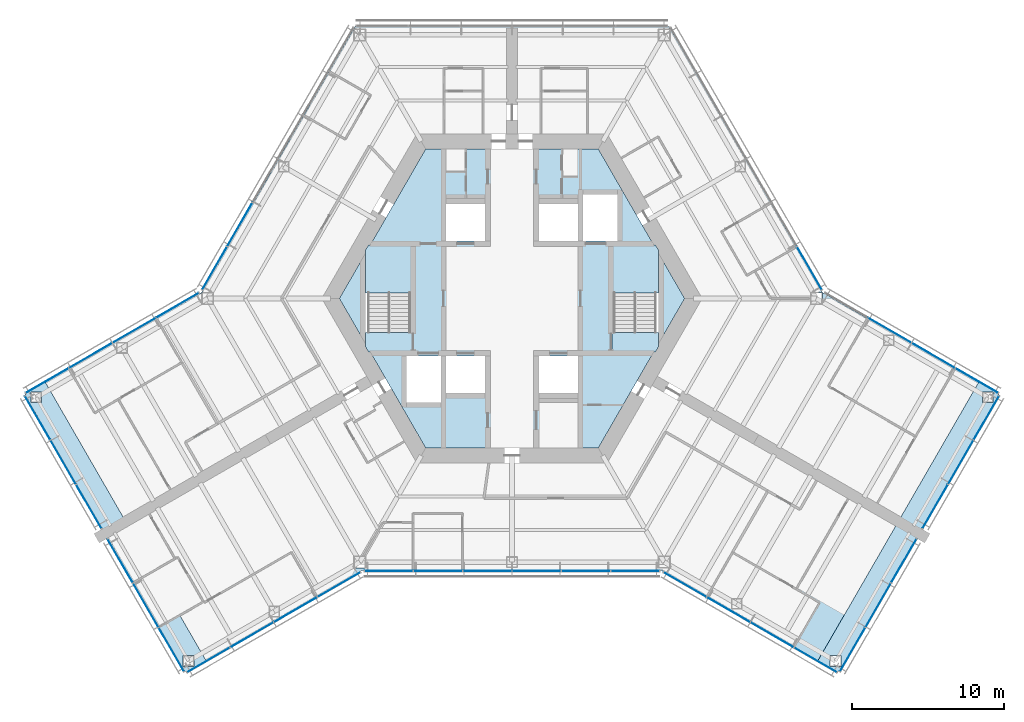
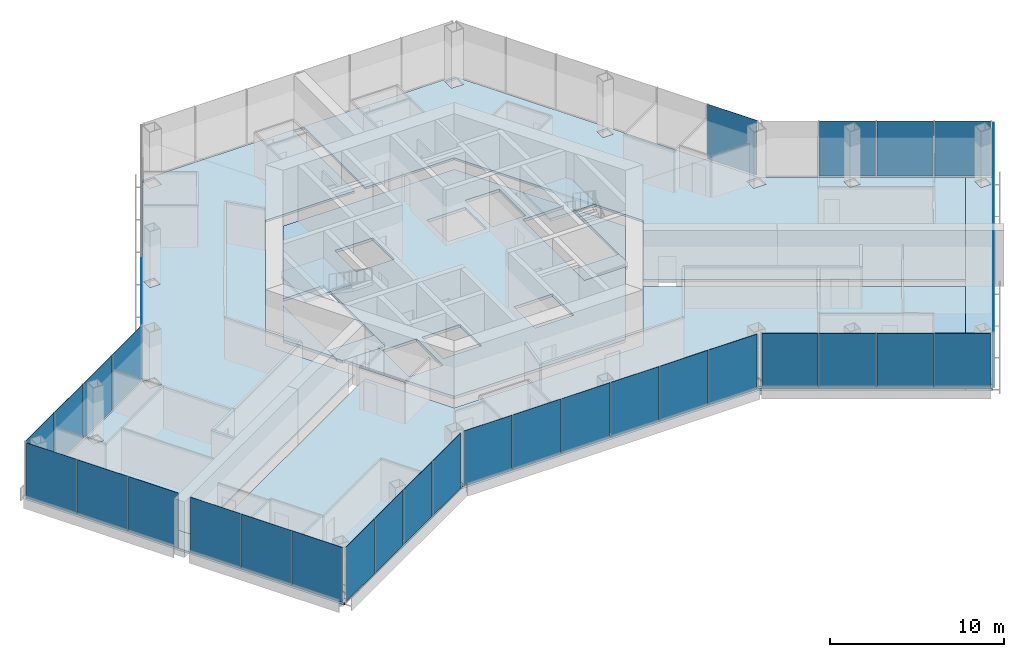
# One storey, part 10 of 18: 36 plates, 11 slabs, 13 elements without a shape of their own.
"""IFC4 building model written with IfcOpenShell, lengths in metres."""

from ifc_helpers import new_model, si_unit, direction, frame, origin, origin_2d, place, context, subcontext, project, spatial, polyline, rectangle, outline, extrude, material, layer, layer_set, type_object, element, aggregate, save


model = new_model("IFC4")

# Units and contexts
model_context = context("Model", 3, precision=1e-05, world=origin(), true_north=direction((0.0, 1.0)))
body_context = subcontext(model_context, "Body", "Model", "MODEL_VIEW")
ifc_project = project(units=[si_unit("LENGTHUNIT", "METRE"), si_unit("AREAUNIT", "SQUARE_METRE"), si_unit("VOLUMEUNIT", "CUBIC_METRE"), si_unit("PLANEANGLEUNIT", "RADIAN"), si_unit("MASSUNIT", "GRAM", prefix="KILO")], contexts=[model_context])

# Site, building, storey
site_placement = place(None, origin())
site = spatial("IfcSite", under=ifc_project, at=site_placement, CompositionType="ELEMENT")
building_placement = place(site_placement, origin())
building = spatial("IfcBuilding", under=site, at=building_placement, Name="Kasaneha Research Tower", CompositionType="ELEMENT")
storey_placement = place(building_placement, frame((0.0, 0.0, 191.60009765625)))
storey = spatial("IfcBuildingStorey", under=building, at=storey_placement, Name="L48", CompositionType="ELEMENT", Elevation=191.60009765625)

# Curtain wall, plates
ifc_material_1 = material(Name="Glass and aluminium", Category="aluminium")
curtain_wall_type = type_object("IfcCurtainWallType", Name="Mid-rise office curtain wall", PredefinedType="USERDEFINED", material=ifc_material_1)
curtain_wall_1_placement = place(storey_placement, origin())
curtain_wall_1 = element("IfcCurtainWall", 1, at=curtain_wall_1_placement, inside=storey, type_object=curtain_wall_type, Name="CW-O2 L48 run 01a", ObjectType="UNITISED CURTAIN WALL", PredefinedType="USERDEFINED")
ifc_material_2 = material(Name="Laminated double glazing", Category="glass")
ifc_layer_1 = layer(ifc_material_2, 0.02587890625)
ifc_layer_set_1 = layer_set([ifc_layer_1], Name="CW-O2 glazed panel")
plate_type = type_object("IfcPlateType", Name="CW-O2 glazed panel", PredefinedType="CURTAIN_PANEL", material=ifc_layer_set_1)
plate_1_placement = place(storey_placement, frame((-8.10107421875, -17.92041015625, 0.06005859375), z_axis=(0.0, 0.0, 1.0), x_axis=(1.0, 0.0, 0.0)))
plate_1 = element("IfcPlate", 2, at=plate_1_placement, type_object=plate_type, Name="CW-O2 panel 1", PredefinedType="CURTAIN_PANEL", context=body_context, shape_type="SweptSolid", body=[
    extrude(rectangle(XDim=3.156494140625, YDim=0.02587890625, at=origin_2d()), origin(), (0.0, 0.0, 1.0), 3.840087890625),
])
plate_2_placement = place(storey_placement, frame((-4.86962890625, -17.92041015625, 0.06005859375), z_axis=(0.0, 0.0, 1.0), x_axis=(1.0, 0.0, 0.0)))
plate_2 = element("IfcPlate", 3, at=plate_2_placement, type_object=plate_type, Name="CW-O2 panel 2", PredefinedType="CURTAIN_PANEL", context=body_context, shape_type="SweptSolid", body=[
    extrude(rectangle(XDim=3.1865234375, YDim=0.02587890625, at=origin_2d()), origin(), (0.0, 0.0, 1.0), 3.840087890625),
])
plate_3_placement = place(storey_placement, frame((-1.623291015625, -17.92041015625, 0.06005859375), z_axis=(0.0, 0.0, 1.0), x_axis=(1.0, 0.0, 0.0)))
plate_3 = element("IfcPlate", 4, at=plate_3_placement, type_object=plate_type, Name="CW-O2 panel 3", PredefinedType="CURTAIN_PANEL", context=body_context, shape_type="SweptSolid", body=[
    extrude(rectangle(XDim=3.1865234375, YDim=0.02587890625, at=origin_2d()), origin(), (0.0, 0.0, 1.0), 3.840087890625),
])
plate_4_placement = place(storey_placement, frame((1.623291015625, -17.92041015625, 0.06005859375), z_axis=(0.0, 0.0, 1.0), x_axis=(1.0, 0.0, 0.0)))
plate_4 = element("IfcPlate", 5, at=plate_4_placement, type_object=plate_type, Name="CW-O2 panel 4", PredefinedType="CURTAIN_PANEL", context=body_context, shape_type="SweptSolid", body=[
    extrude(rectangle(XDim=3.1865234375, YDim=0.02587890625, at=origin_2d()), origin(), (0.0, 0.0, 1.0), 3.840087890625),
])
plate_5_placement = place(storey_placement, frame((4.86962890625, -17.92041015625, 0.06005859375), z_axis=(0.0, 0.0, 1.0), x_axis=(1.0, 0.0, 0.0)))
plate_5 = element("IfcPlate", 6, at=plate_5_placement, type_object=plate_type, Name="CW-O2 panel 5", PredefinedType="CURTAIN_PANEL", context=body_context, shape_type="SweptSolid", body=[
    extrude(rectangle(XDim=3.1865234375, YDim=0.02587890625, at=origin_2d()), origin(), (0.0, 0.0, 1.0), 3.840087890625),
])
plate_6_placement = place(storey_placement, frame((8.10107421875, -17.92041015625, 0.06005859375), z_axis=(0.0, 0.0, 1.0), x_axis=(1.0, 0.0, 0.0)))
plate_6 = element("IfcPlate", 7, at=plate_6_placement, type_object=plate_type, Name="CW-O2 panel 6", PredefinedType="CURTAIN_PANEL", context=body_context, shape_type="SweptSolid", body=[
    extrude(rectangle(XDim=3.156494140625, YDim=0.02587890625, at=origin_2d()), origin(), (0.0, 0.0, 1.0), 3.840087890625),
])
aggregate(curtain_wall_1, [plate_1, plate_2, plate_3, plate_4, plate_5, plate_6])

curtain_wall_2_placement = place(storey_placement, origin())
curtain_wall_2 = element("IfcCurtainWall", 8, at=curtain_wall_2_placement, inside=storey, type_object=curtain_wall_type, Name="CW-O2 L48 run 02a", ObjectType="UNITISED CURTAIN WALL", PredefinedType="USERDEFINED")
plate_7_placement = place(storey_placement, frame((11.3720703125, -18.805419921875, 0.06005859375), z_axis=(0.0, 0.0, 1.0), x_axis=(0.866025411464, -0.499999986699, 0.0)))
plate_7 = element("IfcPlate", 9, at=plate_7_placement, type_object=plate_type, Name="CW-O2 panel 1", PredefinedType="CURTAIN_PANEL", context=body_context, shape_type="SweptSolid", body=[
    extrude(rectangle(XDim=3.2197265625, YDim=0.02587890625, at=origin_2d()), origin(), (0.0, 0.0, 1.0), 3.840087890625),
])
plate_8_placement = place(storey_placement, frame((14.225341796875, -20.452880859375, 0.06005859375), z_axis=(0.0, 0.0, 1.0), x_axis=(0.866025411464, -0.499999986699, 0.0)))
plate_8 = element("IfcPlate", 10, at=plate_8_placement, type_object=plate_type, Name="CW-O2 panel 2", PredefinedType="CURTAIN_PANEL", context=body_context, shape_type="SweptSolid", body=[
    extrude(rectangle(XDim=3.249755859375, YDim=0.02587890625, at=origin_2d()), origin(), (0.0, 0.0, 1.0), 3.840087890625),
])
plate_9_placement = place(storey_placement, frame((17.091796875, -22.107666015625, 0.06005859375), z_axis=(0.0, 0.0, 1.0), x_axis=(0.866025411464, -0.499999986699, 0.0)))
plate_9 = element("IfcPlate", 11, at=plate_9_placement, type_object=plate_type, Name="CW-O2 panel 3", PredefinedType="CURTAIN_PANEL", context=body_context, shape_type="SweptSolid", body=[
    extrude(rectangle(XDim=3.249755859375, YDim=0.02587890625, at=origin_2d()), origin(), (0.0, 0.0, 1.0), 3.840087890625),
])
plate_10_placement = place(storey_placement, frame((19.945068359375, -23.755126953125, 0.06005859375), z_axis=(0.0, 0.0, 1.0), x_axis=(0.866025411464, -0.499999986699, 0.0)))
plate_10 = element("IfcPlate", 12, at=plate_10_placement, type_object=plate_type, Name="CW-O2 panel 4", PredefinedType="CURTAIN_PANEL", context=body_context, shape_type="SweptSolid", body=[
    extrude(rectangle(XDim=3.2197265625, YDim=0.02587890625, at=origin_2d()), origin(), (0.0, 0.0, 1.0), 3.840087890625),
])
aggregate(curtain_wall_2, [plate_7, plate_8, plate_9, plate_10])

curtain_wall_3_placement = place(storey_placement, origin())
curtain_wall_3 = element("IfcCurtainWall", 13, at=curtain_wall_3_placement, inside=storey, type_object=curtain_wall_type, Name="CW-O2 L48 run 03a", ObjectType="UNITISED CURTAIN WALL", PredefinedType="USERDEFINED")
plate_11_placement = place(storey_placement, frame((22.38134765625, -23.075439453125, 0.06005859375), z_axis=(0.0, 0.0, 1.0), x_axis=(0.500000011442, 0.866025397178, 0.0)))
plate_11 = element("IfcPlate", 14, at=plate_11_placement, type_object=plate_type, Name="CW-O2 panel 1", PredefinedType="CURTAIN_PANEL", context=body_context, shape_type="SweptSolid", body=[
    extrude(rectangle(XDim=3.293212890625, YDim=0.02587890625, at=origin_2d()), origin(), (0.0, 0.0, 1.0), 3.840087890625),
])
plate_12_placement = place(storey_placement, frame((24.0654296875, -20.158447265625, 0.06005859375), z_axis=(0.0, 0.0, 1.0), x_axis=(0.500000011442, 0.866025397178, 0.0)))
plate_12 = element("IfcPlate", 15, at=plate_12_placement, type_object=plate_type, Name="CW-O2 panel 2", PredefinedType="CURTAIN_PANEL", context=body_context, shape_type="SweptSolid", body=[
    extrude(rectangle(XDim=3.3232421875, YDim=0.02587890625, at=origin_2d()), origin(), (0.0, 0.0, 1.0), 3.840087890625),
])
plate_13_placement = place(storey_placement, frame((25.74951171875, -17.241455078125, 0.06005859375), z_axis=(0.0, 0.0, 1.0), x_axis=(0.500000011442, 0.866025397178, 0.0)))
plate_13 = element("IfcPlate", 16, at=plate_13_placement, type_object=plate_type, Name="CW-O2 panel 3", PredefinedType="CURTAIN_PANEL", context=body_context, shape_type="SweptSolid", body=[
    extrude(rectangle(XDim=3.293212890625, YDim=0.02587890625, at=origin_2d()), origin(), (0.0, 0.0, 1.0), 3.840087890625),
])
aggregate(curtain_wall_3, [plate_11, plate_12, plate_13])

curtain_wall_4_placement = place(storey_placement, origin())
curtain_wall_4 = element("IfcCurtainWall", 17, at=curtain_wall_4_placement, inside=storey, type_object=curtain_wall_type, Name="CW-O2 L48 run 04a", ObjectType="UNITISED CURTAIN WALL", PredefinedType="USERDEFINED")
plate_14_placement = place(storey_placement, frame((27.806396484375, -13.67919921875, 0.06005859375), z_axis=(0.0, 0.0, 1.0), x_axis=(0.500000011442, 0.866025397178, 0.0)))
plate_14 = element("IfcPlate", 18, at=plate_14_placement, type_object=plate_type, Name="CW-O2 panel 1", PredefinedType="CURTAIN_PANEL", context=body_context, shape_type="SweptSolid", body=[
    extrude(rectangle(XDim=3.293212890625, YDim=0.02587890625, at=origin_2d()), origin(), (0.0, 0.0, 1.0), 3.840087890625),
])
plate_15_placement = place(storey_placement, frame((29.490478515625, -10.761962890625, 0.06005859375), z_axis=(0.0, 0.0, 1.0), x_axis=(0.500000011442, 0.866025397178, 0.0)))
plate_15 = element("IfcPlate", 19, at=plate_15_placement, type_object=plate_type, Name="CW-O2 panel 2", PredefinedType="CURTAIN_PANEL", context=body_context, shape_type="SweptSolid", body=[
    extrude(rectangle(XDim=3.3232421875, YDim=0.02587890625, at=origin_2d()), origin(), (0.0, 0.0, 1.0), 3.840087890625),
])
plate_16_placement = place(storey_placement, frame((31.174560546875, -7.844970703125, 0.06005859375), z_axis=(0.0, 0.0, 1.0), x_axis=(0.500000011442, 0.866025397178, 0.0)))
plate_16 = element("IfcPlate", 20, at=plate_16_placement, type_object=plate_type, Name="CW-O2 panel 3", PredefinedType="CURTAIN_PANEL", context=body_context, shape_type="SweptSolid", body=[
    extrude(rectangle(XDim=3.293212890625, YDim=0.02587890625, at=origin_2d()), origin(), (0.0, 0.0, 1.0), 3.840087890625),
])
aggregate(curtain_wall_4, [plate_14, plate_15, plate_16])

curtain_wall_5_placement = place(storey_placement, origin())
curtain_wall_5 = element("IfcCurtainWall", 21, at=curtain_wall_5_placement, inside=storey, type_object=curtain_wall_type, Name="CW-O2 L48 run 05a", ObjectType="UNITISED CURTAIN WALL", PredefinedType="USERDEFINED")
plate_17_placement = place(storey_placement, frame((30.545166015625, -5.3955078125, 0.06005859375), z_axis=(0.0, 0.0, 1.0), x_axis=(-0.866025411464, 0.499999986699, 0.0)))
plate_17 = element("IfcPlate", 22, at=plate_17_placement, type_object=plate_type, Name="CW-O2 panel 1", PredefinedType="CURTAIN_PANEL", context=body_context, shape_type="SweptSolid", body=[
    extrude(rectangle(XDim=3.2197265625, YDim=0.02587890625, at=origin_2d()), origin(), (0.0, 0.0, 1.0), 3.840087890625),
])
plate_18_placement = place(storey_placement, frame((27.69189453125, -3.748046875, 0.06005859375), z_axis=(0.0, 0.0, 1.0), x_axis=(-0.866025411464, 0.499999986699, 0.0)))
plate_18 = element("IfcPlate", 23, at=plate_18_placement, type_object=plate_type, Name="CW-O2 panel 2", PredefinedType="CURTAIN_PANEL", context=body_context, shape_type="SweptSolid", body=[
    extrude(rectangle(XDim=3.249755859375, YDim=0.02587890625, at=origin_2d()), origin(), (0.0, 0.0, 1.0), 3.840087890625),
])
plate_19_placement = place(storey_placement, frame((24.825439453125, -2.093017578125, 0.06005859375), z_axis=(0.0, 0.0, 1.0), x_axis=(-0.866025411464, 0.499999986699, 0.0)))
plate_19 = element("IfcPlate", 24, at=plate_19_placement, type_object=plate_type, Name="CW-O2 panel 3", PredefinedType="CURTAIN_PANEL", context=body_context, shape_type="SweptSolid", body=[
    extrude(rectangle(XDim=3.249755859375, YDim=0.02587890625, at=origin_2d()), origin(), (0.0, 0.0, 1.0), 3.840087890625),
])
aggregate(curtain_wall_5, [plate_17, plate_18, plate_19])

# Curtain wall, plate
curtain_wall_6_placement = place(storey_placement, origin())
curtain_wall_6 = element("IfcCurtainWall", 25, at=curtain_wall_6_placement, inside=storey, type_object=curtain_wall_type, Name="CW-O2 L48 run 06a", ObjectType="UNITISED CURTAIN WALL", PredefinedType="USERDEFINED")
plate_20_placement = place(storey_placement, frame((19.549072265625, 1.981201171875, 0.06005859375), z_axis=(0.0, 0.0, 1.0), x_axis=(-0.499999979232, 0.866025415775, 0.0)))
plate_20 = element("IfcPlate", 26, at=plate_20_placement, type_object=plate_type, Name="CW-O2 panel 1", PredefinedType="CURTAIN_PANEL", context=body_context, shape_type="SweptSolid", body=[
    extrude(rectangle(XDim=3.240966796875, YDim=0.02587890625, at=origin_2d()), origin(), (0.0, 0.0, 1.0), 3.840087890625),
])
aggregate(curtain_wall_6, [plate_20])

# Curtain wall, plates
curtain_wall_7_placement = place(storey_placement, origin())
curtain_wall_7 = element("IfcCurtainWall", 27, at=curtain_wall_7_placement, inside=storey, type_object=curtain_wall_type, Name="CW-O2 L48 run 08a", ObjectType="UNITISED CURTAIN WALL", PredefinedType="USERDEFINED")
plate_21_placement = place(storey_placement, frame((-17.89111328125, 4.852783203125, 0.06005859375), z_axis=(0.0, 0.0, 1.0), x_axis=(-0.499999979232, -0.866025415775, 0.0)))
plate_21 = element("IfcPlate", 28, at=plate_21_placement, type_object=plate_type, Name="CW-O2 panel 5", PredefinedType="CURTAIN_PANEL", context=body_context, shape_type="SweptSolid", body=[
    extrude(rectangle(XDim=3.27099609375, YDim=0.02587890625, at=origin_2d()), origin(), (0.0, 0.0, 1.0), 3.840087890625),
])
plate_22_placement = place(storey_placement, frame((-19.549072265625, 1.981201171875, 0.06005859375), z_axis=(0.0, 0.0, 1.0), x_axis=(-0.499999979232, -0.866025415775, 0.0)))
plate_22 = element("IfcPlate", 29, at=plate_22_placement, type_object=plate_type, Name="CW-O2 panel 6", PredefinedType="CURTAIN_PANEL", context=body_context, shape_type="SweptSolid", body=[
    extrude(rectangle(XDim=3.240966796875, YDim=0.02587890625, at=origin_2d()), origin(), (0.0, 0.0, 1.0), 3.840087890625),
])
aggregate(curtain_wall_7, [plate_21, plate_22])

curtain_wall_8_placement = place(storey_placement, origin())
curtain_wall_8 = element("IfcCurtainWall", 30, at=curtain_wall_8_placement, inside=storey, type_object=curtain_wall_type, Name="CW-O2 L48 run 09a", ObjectType="UNITISED CURTAIN WALL", PredefinedType="USERDEFINED")
plate_23_placement = place(storey_placement, frame((-21.971923828125, -0.44580078125, 0.06005859375), z_axis=(0.0, 0.0, 1.0), x_axis=(-0.866025411464, -0.499999986699, 0.0)))
plate_23 = element("IfcPlate", 31, at=plate_23_placement, type_object=plate_type, Name="CW-O2 panel 1", PredefinedType="CURTAIN_PANEL", context=body_context, shape_type="SweptSolid", body=[
    extrude(rectangle(XDim=3.2197265625, YDim=0.02587890625, at=origin_2d()), origin(), (0.0, 0.0, 1.0), 3.840087890625),
])
plate_24_placement = place(storey_placement, frame((-24.825439453125, -2.093017578125, 0.06005859375), z_axis=(0.0, 0.0, 1.0), x_axis=(-0.866025411464, -0.499999986699, 0.0)))
plate_24 = element("IfcPlate", 32, at=plate_24_placement, type_object=plate_type, Name="CW-O2 panel 2", PredefinedType="CURTAIN_PANEL", context=body_context, shape_type="SweptSolid", body=[
    extrude(rectangle(XDim=3.249755859375, YDim=0.02587890625, at=origin_2d()), origin(), (0.0, 0.0, 1.0), 3.840087890625),
])
plate_25_placement = place(storey_placement, frame((-27.69189453125, -3.748046875, 0.06005859375), z_axis=(0.0, 0.0, 1.0), x_axis=(-0.866025411464, -0.499999986699, 0.0)))
plate_25 = element("IfcPlate", 33, at=plate_25_placement, type_object=plate_type, Name="CW-O2 panel 3", PredefinedType="CURTAIN_PANEL", context=body_context, shape_type="SweptSolid", body=[
    extrude(rectangle(XDim=3.249755859375, YDim=0.02587890625, at=origin_2d()), origin(), (0.0, 0.0, 1.0), 3.840087890625),
])
plate_26_placement = place(storey_placement, frame((-30.545166015625, -5.3955078125, 0.06005859375), z_axis=(0.0, 0.0, 1.0), x_axis=(-0.866025411464, -0.499999986699, 0.0)))
plate_26 = element("IfcPlate", 34, at=plate_26_placement, type_object=plate_type, Name="CW-O2 panel 4", PredefinedType="CURTAIN_PANEL", context=body_context, shape_type="SweptSolid", body=[
    extrude(rectangle(XDim=3.2197265625, YDim=0.02587890625, at=origin_2d()), origin(), (0.0, 0.0, 1.0), 3.840087890625),
])
aggregate(curtain_wall_8, [plate_23, plate_24, plate_25, plate_26])

curtain_wall_9_placement = place(storey_placement, origin())
curtain_wall_9 = element("IfcCurtainWall", 35, at=curtain_wall_9_placement, inside=storey, type_object=curtain_wall_type, Name="CW-O2 L48 run 10a", ObjectType="UNITISED CURTAIN WALL", PredefinedType="USERDEFINED")
plate_27_placement = place(storey_placement, frame((-31.174560546875, -7.844970703125, 0.06005859375), z_axis=(0.0, 0.0, 1.0), x_axis=(0.500000011442, -0.866025397178, 0.0)))
plate_27 = element("IfcPlate", 36, at=plate_27_placement, type_object=plate_type, Name="CW-O2 panel 1", PredefinedType="CURTAIN_PANEL", context=body_context, shape_type="SweptSolid", body=[
    extrude(rectangle(XDim=3.293212890625, YDim=0.02587890625, at=origin_2d()), origin(), (0.0, 0.0, 1.0), 3.840087890625),
])
plate_28_placement = place(storey_placement, frame((-29.490478515625, -10.761962890625, 0.06005859375), z_axis=(0.0, 0.0, 1.0), x_axis=(0.500000011442, -0.866025397178, 0.0)))
plate_28 = element("IfcPlate", 37, at=plate_28_placement, type_object=plate_type, Name="CW-O2 panel 2", PredefinedType="CURTAIN_PANEL", context=body_context, shape_type="SweptSolid", body=[
    extrude(rectangle(XDim=3.3232421875, YDim=0.02587890625, at=origin_2d()), origin(), (0.0, 0.0, 1.0), 3.840087890625),
])
plate_29_placement = place(storey_placement, frame((-27.806396484375, -13.67919921875, 0.06005859375), z_axis=(0.0, 0.0, 1.0), x_axis=(0.500000011442, -0.866025397178, 0.0)))
plate_29 = element("IfcPlate", 38, at=plate_29_placement, type_object=plate_type, Name="CW-O2 panel 3", PredefinedType="CURTAIN_PANEL", context=body_context, shape_type="SweptSolid", body=[
    extrude(rectangle(XDim=3.293212890625, YDim=0.02587890625, at=origin_2d()), origin(), (0.0, 0.0, 1.0), 3.840087890625),
])
aggregate(curtain_wall_9, [plate_27, plate_28, plate_29])

curtain_wall_10_placement = place(storey_placement, origin())
curtain_wall_10 = element("IfcCurtainWall", 39, at=curtain_wall_10_placement, inside=storey, type_object=curtain_wall_type, Name="CW-O2 L48 run 11a", ObjectType="UNITISED CURTAIN WALL", PredefinedType="USERDEFINED")
plate_30_placement = place(storey_placement, frame((-25.74951171875, -17.241455078125, 0.06005859375), z_axis=(0.0, 0.0, 1.0), x_axis=(0.500000011442, -0.866025397178, 0.0)))
plate_30 = element("IfcPlate", 40, at=plate_30_placement, type_object=plate_type, Name="CW-O2 panel 1", PredefinedType="CURTAIN_PANEL", context=body_context, shape_type="SweptSolid", body=[
    extrude(rectangle(XDim=3.293212890625, YDim=0.02587890625, at=origin_2d()), origin(), (0.0, 0.0, 1.0), 3.840087890625),
])
plate_31_placement = place(storey_placement, frame((-24.0654296875, -20.158447265625, 0.06005859375), z_axis=(0.0, 0.0, 1.0), x_axis=(0.500000011442, -0.866025397178, 0.0)))
plate_31 = element("IfcPlate", 41, at=plate_31_placement, type_object=plate_type, Name="CW-O2 panel 2", PredefinedType="CURTAIN_PANEL", context=body_context, shape_type="SweptSolid", body=[
    extrude(rectangle(XDim=3.3232421875, YDim=0.02587890625, at=origin_2d()), origin(), (0.0, 0.0, 1.0), 3.840087890625),
])
plate_32_placement = place(storey_placement, frame((-22.38134765625, -23.075439453125, 0.06005859375), z_axis=(0.0, 0.0, 1.0), x_axis=(0.500000011442, -0.866025397178, 0.0)))
plate_32 = element("IfcPlate", 42, at=plate_32_placement, type_object=plate_type, Name="CW-O2 panel 3", PredefinedType="CURTAIN_PANEL", context=body_context, shape_type="SweptSolid", body=[
    extrude(rectangle(XDim=3.293212890625, YDim=0.02587890625, at=origin_2d()), origin(), (0.0, 0.0, 1.0), 3.840087890625),
])
aggregate(curtain_wall_10, [plate_30, plate_31, plate_32])

curtain_wall_11_placement = place(storey_placement, origin())
curtain_wall_11 = element("IfcCurtainWall", 43, at=curtain_wall_11_placement, inside=storey, type_object=curtain_wall_type, Name="CW-O2 L48 run 12a", ObjectType="UNITISED CURTAIN WALL", PredefinedType="USERDEFINED")
plate_33_placement = place(storey_placement, frame((-19.945068359375, -23.755126953125, 0.06005859375), z_axis=(0.0, 0.0, 1.0), x_axis=(0.866025411464, 0.499999986699, 0.0)))
plate_33 = element("IfcPlate", 44, at=plate_33_placement, type_object=plate_type, Name="CW-O2 panel 1", PredefinedType="CURTAIN_PANEL", context=body_context, shape_type="SweptSolid", body=[
    extrude(rectangle(XDim=3.2197265625, YDim=0.02587890625, at=origin_2d()), origin(), (0.0, 0.0, 1.0), 3.840087890625),
])
plate_34_placement = place(storey_placement, frame((-17.091796875, -22.107666015625, 0.06005859375), z_axis=(0.0, 0.0, 1.0), x_axis=(0.866025411464, 0.499999986699, 0.0)))
plate_34 = element("IfcPlate", 45, at=plate_34_placement, type_object=plate_type, Name="CW-O2 panel 2", PredefinedType="CURTAIN_PANEL", context=body_context, shape_type="SweptSolid", body=[
    extrude(rectangle(XDim=3.249755859375, YDim=0.02587890625, at=origin_2d()), origin(), (0.0, 0.0, 1.0), 3.840087890625),
])
plate_35_placement = place(storey_placement, frame((-14.225341796875, -20.452880859375, 0.06005859375), z_axis=(0.0, 0.0, 1.0), x_axis=(0.866025411464, 0.499999986699, 0.0)))
plate_35 = element("IfcPlate", 46, at=plate_35_placement, type_object=plate_type, Name="CW-O2 panel 3", PredefinedType="CURTAIN_PANEL", context=body_context, shape_type="SweptSolid", body=[
    extrude(rectangle(XDim=3.249755859375, YDim=0.02587890625, at=origin_2d()), origin(), (0.0, 0.0, 1.0), 3.840087890625),
])
plate_36_placement = place(storey_placement, frame((-11.3720703125, -18.805419921875, 0.06005859375), z_axis=(0.0, 0.0, 1.0), x_axis=(0.866025411464, 0.499999986699, 0.0)))
plate_36 = element("IfcPlate", 47, at=plate_36_placement, type_object=plate_type, Name="CW-O2 panel 4", PredefinedType="CURTAIN_PANEL", context=body_context, shape_type="SweptSolid", body=[
    extrude(rectangle(XDim=3.2197265625, YDim=0.02587890625, at=origin_2d()), origin(), (0.0, 0.0, 1.0), 3.840087890625),
])
aggregate(curtain_wall_11, [plate_33, plate_34, plate_35, plate_36])

# Slabs
ifc_material_3 = material(Name="Concrete Fc24", Category="concrete")
ifc_layer_2 = layer(ifc_material_3, 0.199951171875)
ifc_layer_set_2 = layer_set([ifc_layer_2], Name="Core floor slab 200")
slab_type_1 = type_object("IfcSlabType", Name="Core floor slab 200", PredefinedType="FLOOR", material=ifc_layer_set_2)
slab_1_placement = place(storey_placement, frame((0.0, 0.0, -0.2001953125)))
element("IfcSlab", 48, at=slab_1_placement, inside=storey, type_object=slab_type_1, Name="Core slab L48", PredefinedType="FLOOR", context=body_context, shape_type="SweptSolid", body=[
    extrude(outline(polyline([(-11.344970703125, 0.0), (-9.625, 2.97900390625), (-9.625, -2.97900390625), (-11.344970703125, 0.0)])), origin(), (0.0, 0.0, 1.0), 0.2001953125),
])
slab_2_placement = place(storey_placement, frame((0.0, 0.0, -0.2001953125)))
element("IfcSlab", 49, at=slab_2_placement, inside=storey, type_object=slab_type_1, Name="Core slab L48", PredefinedType="FLOOR", context=body_context, shape_type="SweptSolid", body=[
    extrude(outline(polyline([(-5.67236328125, 9.824951171875), (5.67236328125, 9.824951171875), (9.309814453125, 3.52490234375), (6.574951171875, 3.52490234375), (6.574951171875, -3.52490234375), (9.309814453125, -3.52490234375), (5.67236328125, -9.824951171875), (-5.67236328125, -9.824951171875), (-9.309814453125, -3.52490234375), (-6.574951171875, -3.52490234375), (-6.574951171875, 3.52490234375), (-9.309814453125, 3.52490234375), (-5.67236328125, 9.824951171875)]), holes=[polyline([(-6.925048828125, -3.77490234375), (-6.925048828125, -6.824951171875), (-4.675048828125, -6.824951171875), (-4.675048828125, -3.77490234375), (-6.925048828125, -3.77490234375)]), polyline([(-4.324951171875, -3.77490234375), (-4.324951171875, -6.22509765625), (-1.77490234375, -6.22509765625), (-1.77490234375, -3.77490234375), (-4.324951171875, -3.77490234375)]), polyline([(1.77490234375, -3.77490234375), (1.77490234375, -6.22509765625), (4.324951171875, -6.22509765625), (4.324951171875, -3.77490234375), (1.77490234375, -3.77490234375)]), polyline([(-4.324951171875, 6.22509765625), (-4.324951171875, 3.77490234375), (-1.77490234375, 3.77490234375), (-1.77490234375, 6.22509765625), (-4.324951171875, 6.22509765625)]), polyline([(1.77490234375, 6.22509765625), (1.77490234375, 3.77490234375), (4.324951171875, 3.77490234375), (4.324951171875, 6.22509765625), (1.77490234375, 6.22509765625)]), polyline([(4.675048828125, 6.824951171875), (4.675048828125, 3.77490234375), (6.925048828125, 3.77490234375), (6.925048828125, 6.824951171875), (4.675048828125, 6.824951171875)])]), origin(), (0.0, 0.0, 1.0), 0.2001953125),
])
slab_3_placement = place(storey_placement, frame((0.0, 0.0, -0.2001953125)))
element("IfcSlab", 50, at=slab_3_placement, inside=storey, type_object=slab_type_1, Name="Core slab L48", PredefinedType="FLOOR", context=body_context, shape_type="SweptSolid", body=[
    extrude(outline(polyline([(11.344970703125, 0.0), (9.625, -2.97900390625), (9.625, 2.97900390625), (11.344970703125, 0.0)])), origin(), (0.0, 0.0, 1.0), 0.2001953125),
])
ifc_material_4 = material(Name="Concrete Fc24", Category="concrete")
ifc_layer_3 = layer(ifc_material_4, 0.14990234375)
ifc_layer_set_3 = layer_set([ifc_layer_3], Name="Floor slab 150")
slab_type_2 = type_object("IfcSlabType", Name="Floor slab 150", PredefinedType="FLOOR", material=ifc_layer_set_3)
slab_4_placement = place(storey_placement, frame((0.0, 0.0, -0.150146484375)))
element("IfcSlab", 51, at=slab_4_placement, inside=storey, type_object=slab_type_2, Name="Floor slab L48 1", PredefinedType="FLOOR", context=body_context, shape_type="SweptSolid", body=[
    extrude(outline(polyline([(-32.009521484375, -6.298583984375), (-30.65869140625, -5.518798828125), (-25.55859375, -14.35205078125), (-25.5673828125, -14.357177734375), (-25.21728515625, -14.96337890625), (-25.208740234375, -14.958251953125), (-20.108642578125, -23.791748046875), (-21.459716796875, -24.57177734375), (-32.009521484375, -6.298583984375)]), holes=[polyline([(-20.908447265625, -24.17041015625), (-20.908447265625, -23.470458984375), (-21.6083984375, -23.470458984375), (-21.6083984375, -24.17041015625), (-20.908447265625, -24.17041015625)]), polyline([(-30.908447265625, -6.85009765625), (-30.908447265625, -6.14990234375), (-31.6083984375, -6.14990234375), (-31.6083984375, -6.85009765625), (-30.908447265625, -6.85009765625)])]), origin(), (0.0, 0.0, 1.0), 0.150146484375),
])
slab_5_placement = place(storey_placement, frame((0.0, 0.0, -0.150146484375)))
element("IfcSlab", 52, at=slab_5_placement, inside=storey, type_object=slab_type_2, Name="Floor slab L48 2", PredefinedType="FLOOR", context=body_context, shape_type="SweptSolid", body=[
    extrude(outline(polyline([(9.8525390625, -17.87060546875), (-9.8525390625, -17.87060546875), (-20.108642578125, -23.791748046875), (-25.208740234375, -14.958251953125), (-9.19970703125, -5.715576171875), (-6.249755859375, -10.824951171875), (6.249755859375, -10.824951171875), (9.19970703125, -5.715576171875), (25.208740234375, -14.958251953125), (20.108642578125, -23.791748046875), (9.8525390625, -17.87060546875)]), holes=[polyline([(-15.279052734375, -20.92041015625), (-15.279052734375, -20.220458984375), (-15.979248046875, -20.220458984375), (-15.979248046875, -20.92041015625), (-15.279052734375, -20.92041015625)]), polyline([(0.35009765625, -17.67041015625), (0.35009765625, -16.970458984375), (-0.35009765625, -16.970458984375), (-0.35009765625, -17.67041015625), (0.35009765625, -17.67041015625)]), polyline([(-10.39990234375, -17.720458984375), (-9.60009765625, -17.720458984375), (-9.60009765625, -16.92041015625), (-10.39990234375, -16.92041015625), (-10.39990234375, -17.720458984375)]), polyline([(15.113037109375, -20.42041015625), (15.113037109375, -19.720458984375), (14.4130859375, -19.720458984375), (14.4130859375, -20.42041015625), (15.113037109375, -20.42041015625)]), polyline([(9.60009765625, -17.720458984375), (10.39990234375, -17.720458984375), (10.39990234375, -16.92041015625), (9.60009765625, -16.92041015625), (9.60009765625, -17.720458984375)])]), origin(), (0.0, 0.0, 1.0), 0.150146484375),
])
slab_6_placement = place(storey_placement, frame((0.0, 0.0, -0.150146484375)))
element("IfcSlab", 53, at=slab_6_placement, inside=storey, type_object=slab_type_2, Name="Floor slab L48 3", PredefinedType="FLOOR", context=body_context, shape_type="SweptSolid", body=[
    extrude(outline(polyline([(-20.400146484375, -0.400146484375), (-19.599853515625, -0.400146484375), (-19.599853515625, 0.400146484375), (-20.385986328125, 0.400146484375), (-20.3974609375, 0.41162109375), (-10.40771484375, 17.714111328125), (-10.400146484375, 17.70654296875), (-10.400146484375, 16.92041015625), (-9.599853515625, 16.92041015625), (-9.599853515625, 17.720703125), (-10.385986328125, 17.720703125), (-10.3974609375, 17.732177734375), (-10.317626953125, 17.87060546875), (10.317626953125, 17.87060546875), (10.3974609375, 17.732177734375), (10.385986328125, 17.720703125), (9.599853515625, 17.720703125), (9.599853515625, 16.92041015625), (10.400146484375, 16.92041015625), (10.400146484375, 17.70654296875), (10.40771484375, 17.714111328125), (20.3974609375, 0.41162109375), (20.385986328125, 0.400146484375), (19.599853515625, 0.400146484375), (19.599853515625, -0.400146484375), (20.400146484375, -0.400146484375), (20.400146484375, 0.385986328125), (20.41162109375, 0.3974609375), (30.65869140625, -5.518798828125), (25.55859375, -14.35205078125), (9.5498046875, -5.109375), (12.49951171875, 0.0), (6.249755859375, 10.824951171875), (0.35009765625, 10.824951171875), (0.35009765625, 17.7705078125), (-0.35009765625, 17.7705078125), (-0.35009765625, 10.824951171875), (-6.249755859375, 10.824951171875), (-12.49951171875, 0.0), (-9.5498046875, -5.109375), (-25.55859375, -14.35205078125), (-30.65869140625, -5.518798828125), (-20.41162109375, 0.3974609375), (-20.400146484375, 0.385986328125), (-20.400146484375, -0.400146484375)]), holes=[polyline([(-25.279052734375, -3.60009765625), (-25.279052734375, -2.89990234375), (-25.979248046875, -2.89990234375), (-25.979248046875, -3.60009765625), (-25.279052734375, -3.60009765625)]), polyline([(-15.35009765625, 8.310302734375), (-14.64990234375, 8.310302734375), (-14.64990234375, 9.01025390625), (-15.35009765625, 9.01025390625), (-15.35009765625, 8.310302734375)]), polyline([(24.4130859375, -3.10009765625), (25.113037109375, -3.10009765625), (25.113037109375, -2.39990234375), (24.4130859375, -2.39990234375), (24.4130859375, -3.10009765625)]), polyline([(14.64990234375, 8.310302734375), (15.35009765625, 8.310302734375), (15.35009765625, 9.01025390625), (14.64990234375, 9.01025390625), (14.64990234375, 8.310302734375)])]), origin(), (0.0, 0.0, 1.0), 0.150146484375),
])
slab_7_placement = place(storey_placement, frame((0.0, 0.0, -0.150146484375)))
element("IfcSlab", 54, at=slab_7_placement, inside=storey, type_object=slab_type_2, Name="Floor slab L48 4", PredefinedType="FLOOR", context=body_context, shape_type="SweptSolid", body=[
    extrude(outline(polyline([(32.009521484375, -6.298583984375), (21.459716796875, -24.57177734375), (20.108642578125, -23.791748046875), (25.208740234375, -14.958251953125), (25.21728515625, -14.96337890625), (25.5673828125, -14.357177734375), (25.55859375, -14.35205078125), (30.65869140625, -5.518798828125), (32.009521484375, -6.298583984375)]), holes=[polyline([(21.6083984375, -24.17041015625), (21.6083984375, -23.470458984375), (20.908447265625, -23.470458984375), (20.908447265625, -24.17041015625), (21.6083984375, -24.17041015625)]), polyline([(31.6083984375, -6.85009765625), (31.6083984375, -6.14990234375), (30.908447265625, -6.14990234375), (30.908447265625, -6.85009765625), (31.6083984375, -6.85009765625)])]), origin(), (0.0, 0.0, 1.0), 0.150146484375),
])

# Stair, slabs
ifc_material_5 = material(Name="Concrete Fc24", Category="concrete")
stair_type = type_object("IfcStairType", Name="Half-turn stair 22 risers", PredefinedType="HALF_TURN_STAIR", material=ifc_material_5)
stair_1_placement = place(storey_placement, origin())
stair_1 = element("IfcStair", 55, at=stair_1_placement, inside=storey, type_object=stair_type, Name="Stair 1 L48", PredefinedType="HALF_TURN_STAIR")
ifc_material_6 = material(Name="Concrete Fc24", Category="concrete")
ifc_layer_4 = layer(ifc_material_6, 0.199951171875)
ifc_layer_set_4 = layer_set([ifc_layer_4], Name="Stair 1 landing 200")
slab_type_3 = type_object("IfcSlabType", Name="Stair 1 landing 200", PredefinedType="LANDING", material=ifc_layer_set_4)
slab_8_placement = place(storey_placement, frame((0.0, 0.0, -0.2001953125)))
slab_8 = element("IfcSlab", 56, at=slab_8_placement, type_object=slab_type_3, Name="ST1-22R landing 1", PredefinedType="LANDING", context=body_context, shape_type="SweptSolid", body=[
    extrude(outline(polyline([(9.42529296875, -3.52490234375), (6.574951171875, -3.52490234375), (6.574951171875, -2.22509765625), (9.625, -2.22509765625), (9.625, -3.178955078125), (9.42529296875, -3.52490234375)])), origin(), (0.0, 0.0, 1.0), 0.2001953125),
])
slab_9_placement = place(storey_placement, frame((0.0, 0.0, 1.75)))
slab_9 = element("IfcSlab", 57, at=slab_9_placement, type_object=slab_type_3, Name="ST1-22R landing 2", PredefinedType="LANDING", context=body_context, shape_type="SweptSolid", body=[
    extrude(outline(polyline([(6.574951171875, 3.52490234375), (9.42529296875, 3.52490234375), (9.625, 3.178955078125), (9.625, 0.375), (6.574951171875, 0.375), (6.574951171875, 3.52490234375)])), origin(), (0.0, 0.0, 1.0), 0.199951171875),
])
aggregate(stair_1, [slab_8, slab_9])

stair_2_placement = place(storey_placement, origin())
stair_2 = element("IfcStair", 58, at=stair_2_placement, inside=storey, type_object=stair_type, Name="Stair 2 L48", PredefinedType="HALF_TURN_STAIR")
ifc_material_7 = material(Name="Concrete Fc24", Category="concrete")
ifc_layer_5 = layer(ifc_material_7, 0.199951171875)
ifc_layer_set_5 = layer_set([ifc_layer_5], Name="Stair 2 landing 200")
slab_type_4 = type_object("IfcSlabType", Name="Stair 2 landing 200", PredefinedType="LANDING", material=ifc_layer_set_5)
slab_10_placement = place(storey_placement, frame((0.0, 0.0, -0.2001953125)))
slab_10 = element("IfcSlab", 59, at=slab_10_placement, type_object=slab_type_4, Name="ST2-22R landing 1", PredefinedType="LANDING", context=body_context, shape_type="SweptSolid", body=[
    extrude(outline(polyline([(-6.574951171875, -3.52490234375), (-9.42529296875, -3.52490234375), (-9.625, -3.178955078125), (-9.625, -2.22509765625), (-6.574951171875, -2.22509765625), (-6.574951171875, -3.52490234375)])), origin(), (0.0, 0.0, 1.0), 0.2001953125),
])
slab_11_placement = place(storey_placement, frame((0.0, 0.0, 1.75)))
slab_11 = element("IfcSlab", 60, at=slab_11_placement, type_object=slab_type_4, Name="ST2-22R landing 2", PredefinedType="LANDING", context=body_context, shape_type="SweptSolid", body=[
    extrude(outline(polyline([(-6.574951171875, 0.375), (-9.625, 0.375), (-9.625, 3.178955078125), (-9.42529296875, 3.52490234375), (-6.574951171875, 3.52490234375), (-6.574951171875, 0.375)])), origin(), (0.0, 0.0, 1.0), 0.199951171875),
])
aggregate(stair_2, [slab_10, slab_11])

save(model, "model.ifc")
